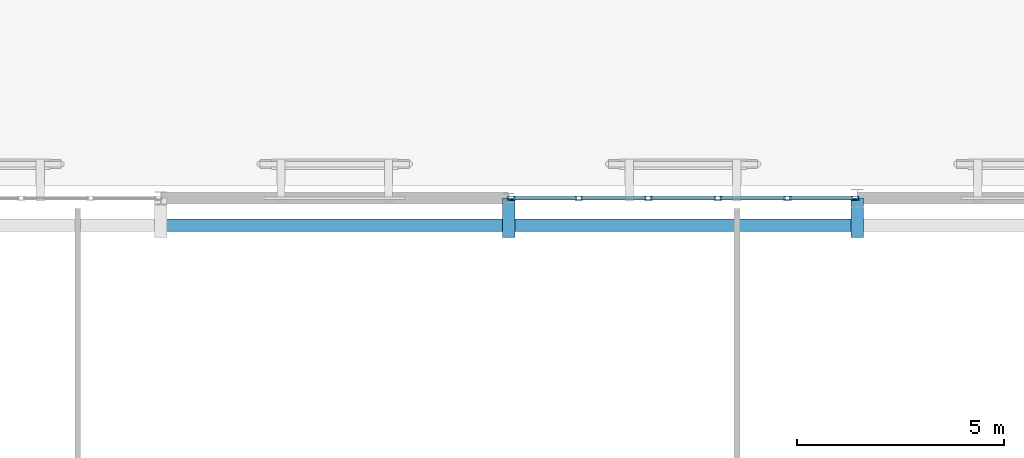
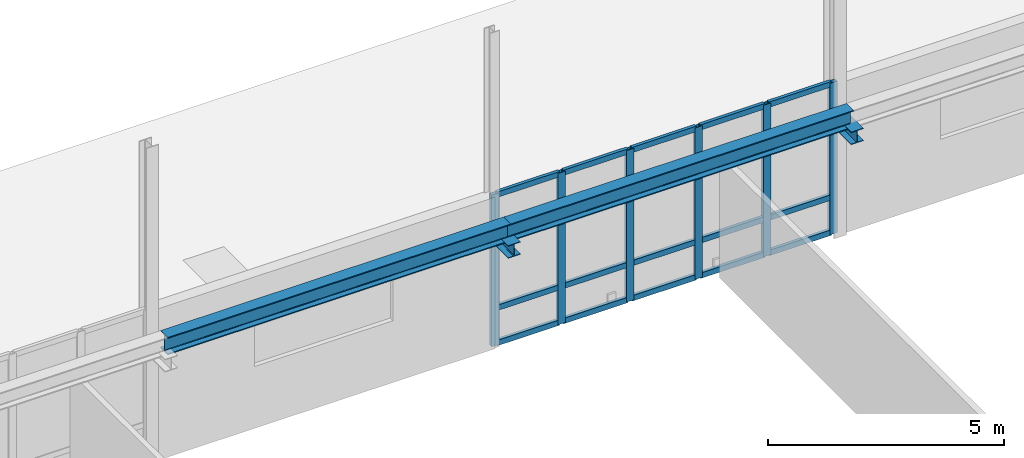
# One storey, part 84 of 170: 21 members, 4 beams, 1 element without a shape of its own.
"""IFC4 building model written with IfcOpenShell, lengths in metres."""

from ifc_helpers import new_model, si_unit, direction, frame, origin, origin_2d, place, context, subcontext, project, spatial, hollow_rectangle, i_section, extrude, material, layer, layer_set, material_profile, profile_set, type_object, element, aggregate, save


model = new_model("IFC4")

# Units and contexts
model_context = context("Model", 3, precision=1e-05, world=origin(), true_north=direction((0.0, 1.0)))
body_context = subcontext(model_context, "Body", "Model", "MODEL_VIEW")
ifc_project = project(units=[si_unit("LENGTHUNIT", "METRE"), si_unit("AREAUNIT", "SQUARE_METRE"), si_unit("VOLUMEUNIT", "CUBIC_METRE"), si_unit("PLANEANGLEUNIT", "RADIAN"), si_unit("MASSUNIT", "GRAM", prefix="KILO")], contexts=[model_context])

# Site, building, storey
site_placement = place(None, origin())
site = spatial("IfcSite", under=ifc_project, at=site_placement, CompositionType="ELEMENT")
building_placement = place(site_placement, origin())
building = spatial("IfcBuilding", under=site, at=building_placement, Name="Mazaris Harbour Polytechnic", CompositionType="ELEMENT")
storey_placement = place(building_placement, frame((0.0, 0.0, 5.39990234375)))
storey = spatial("IfcBuildingStorey", under=building, at=storey_placement, Name="L01", CompositionType="ELEMENT", Elevation=5.39990234375)

# Beams
ifc_material_1 = material(Name="Steel S355", Category="steel")
ifc_material_profile_1 = material_profile(ifc_material_1, i_section(OverallWidth=0.300048828125, OverallDepth=0.449951171875, WebThickness=0.013916015625, FlangeThickness=0.02587890625, FilletRadius=0.027099609375, at=origin_2d()), Name="HEB 450")
ifc_profile_set_1 = profile_set([ifc_material_profile_1], Name="Steel S355")
beam_type_1 = type_object("IfcBeamType", Name="Crane Runway HEB450", PredefinedType="USERDEFINED", material=ifc_profile_set_1)
beam_1_placement = place(storey_placement, frame((79.199951171875, 107.35009765625, 3.400146484375), z_axis=(1.0, 0.0, 0.0), x_axis=(0.0, 1.0, 0.0)))
element("IfcBeam", 1, at=beam_1_placement, inside=storey, type_object=beam_type_1, Name="V1 10t Bridge Crane Runway 11", ObjectType="CRANE RUNWAY", PredefinedType="USERDEFINED", context=body_context, shape_type="SweptSolid", body=[
    extrude(i_section(OverallWidth=0.300048828125, OverallDepth=0.449951171875, WebThickness=0.013916015625, FlangeThickness=0.02587890625, FilletRadius=0.027099609375, at=origin_2d()), origin(), (0.0, 0.0, 1.0), 8.400146484375),
])
beam_2_placement = place(storey_placement, frame((87.60009765625, 107.35009765625, 3.400146484375), z_axis=(1.0, 0.0, 0.0), x_axis=(0.0, 1.0, 0.0)))
element("IfcBeam", 2, at=beam_2_placement, inside=storey, type_object=beam_type_1, Name="V1 10t Bridge Crane Runway 12", ObjectType="CRANE RUNWAY", PredefinedType="USERDEFINED", context=body_context, shape_type="SweptSolid", body=[
    extrude(i_section(OverallWidth=0.300048828125, OverallDepth=0.449951171875, WebThickness=0.013916015625, FlangeThickness=0.02587890625, FilletRadius=0.027099609375, at=origin_2d()), origin(), (0.0, 0.0, 1.0), 8.39990234375),
])

# Curtain wall, members
ifc_material_2 = material(Name="Anodised Bronze Aluminium and Low-E Glass", Category="aluminium")
ifc_layer = layer(ifc_material_2, 0.14990234375, Name="Anodised Bronze Aluminium and Low-E Glass")
ifc_layer_set = layer_set([ifc_layer], Name="Anodised Bronze Aluminium and Low-E Glass")
curtain_wall_type = type_object("IfcCurtainWallType", Name="Workshop Clerestory Curtain Wall", PredefinedType="NOTDEFINED", material=ifc_layer_set)
curtain_wall_placement = place(storey_placement, origin())
curtain_wall = element("IfcCurtainWall", 3, at=curtain_wall_placement, inside=storey, type_object=curtain_wall_type, Name="V1 L01 Curtain Wall 19", PredefinedType="NOTDEFINED")
ifc_material_3 = material(Name="Anodised Bronze Steel S355", Category="steel")
ifc_material_profile_2 = material_profile(ifc_material_3, hollow_rectangle(XDim=0.10009765625, YDim=0.179931640625, WallThickness=0.008056640625, at=origin_2d()), Name="RHS 100x180x8.0")
ifc_profile_set_2 = profile_set([ifc_material_profile_2], Name="Anodised Bronze Steel S355")
member_type_1 = type_object("IfcMemberType", Name="Curtain Mullion RHS100x180", PredefinedType="MULLION", material=ifc_profile_set_2)
member_1_placement = place(storey_placement, frame((87.657958984375, 108.0, 0.0), z_axis=(0.0, 0.0, 1.0), x_axis=(0.0, 1.0, 0.0)))
member_1 = element("IfcMember", 4, at=member_1_placement, type_object=member_type_1, Name="CW-04 mullion 1", PredefinedType="MULLION", context=body_context, shape_type="SweptSolid", body=[
    extrude(hollow_rectangle(XDim=0.10009765625, YDim=0.179931640625, WallThickness=0.008056640625, at=origin_2d()), origin(), (0.0, 0.0, 1.0), 3.920166015625),
])
member_2_placement = place(storey_placement, frame((89.284912109375, 108.0, 0.0), z_axis=(0.0, 0.0, 1.0), x_axis=(0.0, 1.0, 0.0)))
member_2 = element("IfcMember", 5, at=member_2_placement, type_object=member_type_1, Name="CW-04 mullion 2", PredefinedType="MULLION", context=body_context, shape_type="SweptSolid", body=[
    extrude(hollow_rectangle(XDim=0.10009765625, YDim=0.179931640625, WallThickness=0.008056640625, at=origin_2d()), origin(), (0.0, 0.0, 1.0), 3.920166015625),
])
member_3_placement = place(storey_placement, frame((90.961669921875, 108.0, 0.0), z_axis=(0.0, 0.0, 1.0), x_axis=(0.0, 1.0, 0.0)))
member_3 = element("IfcMember", 6, at=member_3_placement, type_object=member_type_1, Name="CW-04 mullion 3", PredefinedType="MULLION", context=body_context, shape_type="SweptSolid", body=[
    extrude(hollow_rectangle(XDim=0.10009765625, YDim=0.179931640625, WallThickness=0.008056640625, at=origin_2d()), origin(), (0.0, 0.0, 1.0), 3.920166015625),
])
member_4_placement = place(storey_placement, frame((92.638427734375, 108.0, 0.0), z_axis=(0.0, 0.0, 1.0), x_axis=(0.0, 1.0, 0.0)))
member_4 = element("IfcMember", 7, at=member_4_placement, type_object=member_type_1, Name="CW-04 mullion 4", PredefinedType="MULLION", context=body_context, shape_type="SweptSolid", body=[
    extrude(hollow_rectangle(XDim=0.10009765625, YDim=0.179931640625, WallThickness=0.008056640625, at=origin_2d()), origin(), (0.0, 0.0, 1.0), 3.920166015625),
])
member_5_placement = place(storey_placement, frame((94.315185546875, 108.0, 0.0), z_axis=(0.0, 0.0, 1.0), x_axis=(0.0, 1.0, 0.0)))
member_5 = element("IfcMember", 8, at=member_5_placement, type_object=member_type_1, Name="CW-04 mullion 5", PredefinedType="MULLION", context=body_context, shape_type="SweptSolid", body=[
    extrude(hollow_rectangle(XDim=0.10009765625, YDim=0.179931640625, WallThickness=0.008056640625, at=origin_2d()), origin(), (0.0, 0.0, 1.0), 3.920166015625),
])
member_6_placement = place(storey_placement, frame((95.94189453125, 108.0, 0.0), z_axis=(0.0, 0.0, 1.0), x_axis=(0.0, 1.0, 0.0)))
member_6 = element("IfcMember", 9, at=member_6_placement, type_object=member_type_1, Name="CW-04 mullion 6", PredefinedType="MULLION", context=body_context, shape_type="SweptSolid", body=[
    extrude(hollow_rectangle(XDim=0.10009765625, YDim=0.179931640625, WallThickness=0.008056640625, at=origin_2d()), origin(), (0.0, 0.0, 1.0), 3.920166015625),
])
ifc_material_4 = material(Name="Anodised Bronze Steel S355", Category="steel")
ifc_material_profile_3 = material_profile(ifc_material_4, hollow_rectangle(XDim=0.080078125, YDim=0.139892578125, WallThickness=0.00634765625, at=origin_2d()), Name="RHS 80x140x6.3")
ifc_profile_set_3 = profile_set([ifc_material_profile_3], Name="Anodised Bronze Steel S355")
member_type_2 = type_object("IfcMemberType", Name="Curtain Transom RHS80x140", PredefinedType="USERDEFINED", material=ifc_profile_set_3)
member_7_placement = place(storey_placement, frame((87.7080078125, 108.0, 0.0400390625), z_axis=(1.0, 0.0, 0.0), x_axis=(0.0, 1.0, 0.0)))
member_7 = element("IfcMember", 10, at=member_7_placement, type_object=member_type_2, Name="CW-04 transom 1.1", ObjectType="TRANSOM", PredefinedType="USERDEFINED", context=body_context, shape_type="SweptSolid", body=[
    extrude(hollow_rectangle(XDim=0.080078125, YDim=0.139892578125, WallThickness=0.00634765625, at=origin_2d()), origin(), (0.0, 0.0, 1.0), 1.52685546875),
])
member_8_placement = place(storey_placement, frame((87.7080078125, 108.0, 0.9501953125), z_axis=(1.0, 0.0, 0.0), x_axis=(0.0, 1.0, 0.0)))
member_8 = element("IfcMember", 11, at=member_8_placement, type_object=member_type_2, Name="CW-04 transom 1.2", ObjectType="TRANSOM", PredefinedType="USERDEFINED", context=body_context, shape_type="SweptSolid", body=[
    extrude(hollow_rectangle(XDim=0.080078125, YDim=0.139892578125, WallThickness=0.00634765625, at=origin_2d()), origin(), (0.0, 0.0, 1.0), 1.52685546875),
])
member_9_placement = place(storey_placement, frame((87.7080078125, 108.0, 3.880126953125), z_axis=(1.0, 0.0, 0.0), x_axis=(0.0, 1.0, 0.0)))
member_9 = element("IfcMember", 12, at=member_9_placement, type_object=member_type_2, Name="CW-04 transom 1.3", ObjectType="TRANSOM", PredefinedType="USERDEFINED", context=body_context, shape_type="SweptSolid", body=[
    extrude(hollow_rectangle(XDim=0.080078125, YDim=0.139892578125, WallThickness=0.00634765625, at=origin_2d()), origin(), (0.0, 0.0, 1.0), 1.52685546875),
])
member_10_placement = place(storey_placement, frame((89.334716796875, 108.0, 0.0400390625), z_axis=(1.0, 0.0, 0.0), x_axis=(0.0, 1.0, 0.0)))
member_10 = element("IfcMember", 13, at=member_10_placement, type_object=member_type_2, Name="CW-04 transom 2.1", ObjectType="TRANSOM", PredefinedType="USERDEFINED", context=body_context, shape_type="SweptSolid", body=[
    extrude(hollow_rectangle(XDim=0.080078125, YDim=0.139892578125, WallThickness=0.00634765625, at=origin_2d()), origin(), (0.0, 0.0, 1.0), 1.576904296875),
])
member_11_placement = place(storey_placement, frame((89.334716796875, 108.0, 0.9501953125), z_axis=(1.0, 0.0, 0.0), x_axis=(0.0, 1.0, 0.0)))
member_11 = element("IfcMember", 14, at=member_11_placement, type_object=member_type_2, Name="CW-04 transom 2.2", ObjectType="TRANSOM", PredefinedType="USERDEFINED", context=body_context, shape_type="SweptSolid", body=[
    extrude(hollow_rectangle(XDim=0.080078125, YDim=0.139892578125, WallThickness=0.00634765625, at=origin_2d()), origin(), (0.0, 0.0, 1.0), 1.576904296875),
])
member_12_placement = place(storey_placement, frame((89.334716796875, 108.0, 3.880126953125), z_axis=(1.0, 0.0, 0.0), x_axis=(0.0, 1.0, 0.0)))
member_12 = element("IfcMember", 15, at=member_12_placement, type_object=member_type_2, Name="CW-04 transom 2.3", ObjectType="TRANSOM", PredefinedType="USERDEFINED", context=body_context, shape_type="SweptSolid", body=[
    extrude(hollow_rectangle(XDim=0.080078125, YDim=0.139892578125, WallThickness=0.00634765625, at=origin_2d()), origin(), (0.0, 0.0, 1.0), 1.576904296875),
])
member_13_placement = place(storey_placement, frame((91.01171875, 108.0, 0.0400390625), z_axis=(1.0, 0.0, 0.0), x_axis=(0.0, 1.0, 0.0)))
member_13 = element("IfcMember", 16, at=member_13_placement, type_object=member_type_2, Name="CW-04 transom 3.1", ObjectType="TRANSOM", PredefinedType="USERDEFINED", context=body_context, shape_type="SweptSolid", body=[
    extrude(hollow_rectangle(XDim=0.080078125, YDim=0.139892578125, WallThickness=0.00634765625, at=origin_2d()), origin(), (0.0, 0.0, 1.0), 1.57666015625),
])
member_14_placement = place(storey_placement, frame((91.01171875, 108.0, 0.9501953125), z_axis=(1.0, 0.0, 0.0), x_axis=(0.0, 1.0, 0.0)))
member_14 = element("IfcMember", 17, at=member_14_placement, type_object=member_type_2, Name="CW-04 transom 3.2", ObjectType="TRANSOM", PredefinedType="USERDEFINED", context=body_context, shape_type="SweptSolid", body=[
    extrude(hollow_rectangle(XDim=0.080078125, YDim=0.139892578125, WallThickness=0.00634765625, at=origin_2d()), origin(), (0.0, 0.0, 1.0), 1.57666015625),
])
member_15_placement = place(storey_placement, frame((91.01171875, 108.0, 3.880126953125), z_axis=(1.0, 0.0, 0.0), x_axis=(0.0, 1.0, 0.0)))
member_15 = element("IfcMember", 18, at=member_15_placement, type_object=member_type_2, Name="CW-04 transom 3.3", ObjectType="TRANSOM", PredefinedType="USERDEFINED", context=body_context, shape_type="SweptSolid", body=[
    extrude(hollow_rectangle(XDim=0.080078125, YDim=0.139892578125, WallThickness=0.00634765625, at=origin_2d()), origin(), (0.0, 0.0, 1.0), 1.57666015625),
])
member_16_placement = place(storey_placement, frame((92.6884765625, 108.0, 0.0400390625), z_axis=(1.0, 0.0, 0.0), x_axis=(0.0, 1.0, 0.0)))
member_16 = element("IfcMember", 19, at=member_16_placement, type_object=member_type_2, Name="CW-04 transom 4.1", ObjectType="TRANSOM", PredefinedType="USERDEFINED", context=body_context, shape_type="SweptSolid", body=[
    extrude(hollow_rectangle(XDim=0.080078125, YDim=0.139892578125, WallThickness=0.00634765625, at=origin_2d()), origin(), (0.0, 0.0, 1.0), 1.57666015625),
])
member_17_placement = place(storey_placement, frame((92.6884765625, 108.0, 0.9501953125), z_axis=(1.0, 0.0, 0.0), x_axis=(0.0, 1.0, 0.0)))
member_17 = element("IfcMember", 20, at=member_17_placement, type_object=member_type_2, Name="CW-04 transom 4.2", ObjectType="TRANSOM", PredefinedType="USERDEFINED", context=body_context, shape_type="SweptSolid", body=[
    extrude(hollow_rectangle(XDim=0.080078125, YDim=0.139892578125, WallThickness=0.00634765625, at=origin_2d()), origin(), (0.0, 0.0, 1.0), 1.57666015625),
])
member_18_placement = place(storey_placement, frame((92.6884765625, 108.0, 3.880126953125), z_axis=(1.0, 0.0, 0.0), x_axis=(0.0, 1.0, 0.0)))
member_18 = element("IfcMember", 21, at=member_18_placement, type_object=member_type_2, Name="CW-04 transom 4.3", ObjectType="TRANSOM", PredefinedType="USERDEFINED", context=body_context, shape_type="SweptSolid", body=[
    extrude(hollow_rectangle(XDim=0.080078125, YDim=0.139892578125, WallThickness=0.00634765625, at=origin_2d()), origin(), (0.0, 0.0, 1.0), 1.57666015625),
])
member_19_placement = place(storey_placement, frame((94.365234375, 108.0, 0.0400390625), z_axis=(1.0, 0.0, 0.0), x_axis=(0.0, 1.0, 0.0)))
member_19 = element("IfcMember", 22, at=member_19_placement, type_object=member_type_2, Name="CW-04 transom 5.1", ObjectType="TRANSOM", PredefinedType="USERDEFINED", context=body_context, shape_type="SweptSolid", body=[
    extrude(hollow_rectangle(XDim=0.080078125, YDim=0.139892578125, WallThickness=0.00634765625, at=origin_2d()), origin(), (0.0, 0.0, 1.0), 1.52685546875),
])
member_20_placement = place(storey_placement, frame((94.365234375, 108.0, 0.9501953125), z_axis=(1.0, 0.0, 0.0), x_axis=(0.0, 1.0, 0.0)))
member_20 = element("IfcMember", 23, at=member_20_placement, type_object=member_type_2, Name="CW-04 transom 5.2", ObjectType="TRANSOM", PredefinedType="USERDEFINED", context=body_context, shape_type="SweptSolid", body=[
    extrude(hollow_rectangle(XDim=0.080078125, YDim=0.139892578125, WallThickness=0.00634765625, at=origin_2d()), origin(), (0.0, 0.0, 1.0), 1.52685546875),
])
member_21_placement = place(storey_placement, frame((94.365234375, 108.0, 3.880126953125), z_axis=(1.0, 0.0, 0.0), x_axis=(0.0, 1.0, 0.0)))
member_21 = element("IfcMember", 24, at=member_21_placement, type_object=member_type_2, Name="CW-04 transom 5.3", ObjectType="TRANSOM", PredefinedType="USERDEFINED", context=body_context, shape_type="SweptSolid", body=[
    extrude(hollow_rectangle(XDim=0.080078125, YDim=0.139892578125, WallThickness=0.00634765625, at=origin_2d()), origin(), (0.0, 0.0, 1.0), 1.52685546875),
])
aggregate(curtain_wall, [member_1, member_2, member_3, member_4, member_5, member_6, member_7, member_8, member_9, member_10, member_11, member_12, member_13, member_14, member_15, member_16, member_17, member_18, member_19, member_20, member_21])

# Beams
ifc_material_5 = material(Name="Steel S355", Category="steel")
ifc_material_profile_4 = material_profile(ifc_material_5, i_section(OverallWidth=0.300048828125, OverallDepth=0.330078125, WebThickness=0.009521484375, FlangeThickness=0.0166015625, FilletRadius=0.027099609375, at=origin_2d()), Name="HEA 340")
ifc_profile_set_4 = profile_set([ifc_material_profile_4], Name="Steel S355")
beam_type_2 = type_object("IfcBeamType", Name="Steel Beam HEA340", PredefinedType="BEAM", material=ifc_profile_set_4)
for number, where, z_axis, x_axis, name in (
    (25, (87.60009765625, 108.0, 3.0400390625), (0.0, -1.0, 0.0), (1.0, 0.0, 0.0), "V1 Crane Corbel Bracket 3567"),
    (26, (96.0, 108.0, 3.0400390625), (0.0, -1.0, 0.0), (1.0, 0.0, 0.0), "V1 Crane Corbel Bracket 3568"),
):
    element("IfcBeam", number, at=place(storey_placement, frame(where, z_axis=z_axis, x_axis=x_axis)), inside=storey, type_object=beam_type_2, Name=name, PredefinedType="BEAM", context=body_context, shape_type="SweptSolid", body=[
        extrude(i_section(OverallWidth=0.300048828125, OverallDepth=0.330078125, WebThickness=0.009521484375, FlangeThickness=0.0166015625, FilletRadius=0.027099609375, at=origin_2d()), origin(), (0.0, 0.0, 1.0), 0.949951171875),
    ])

save(model, "model.ifc")
